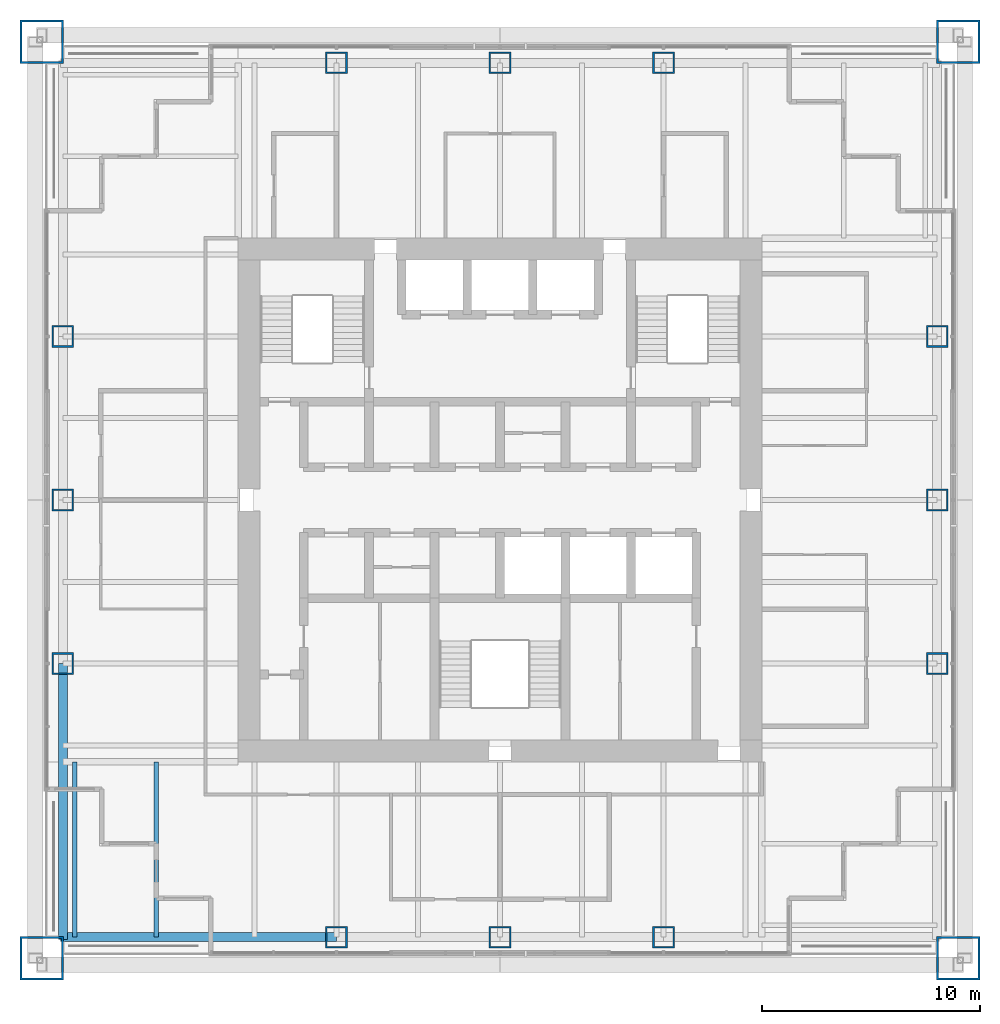
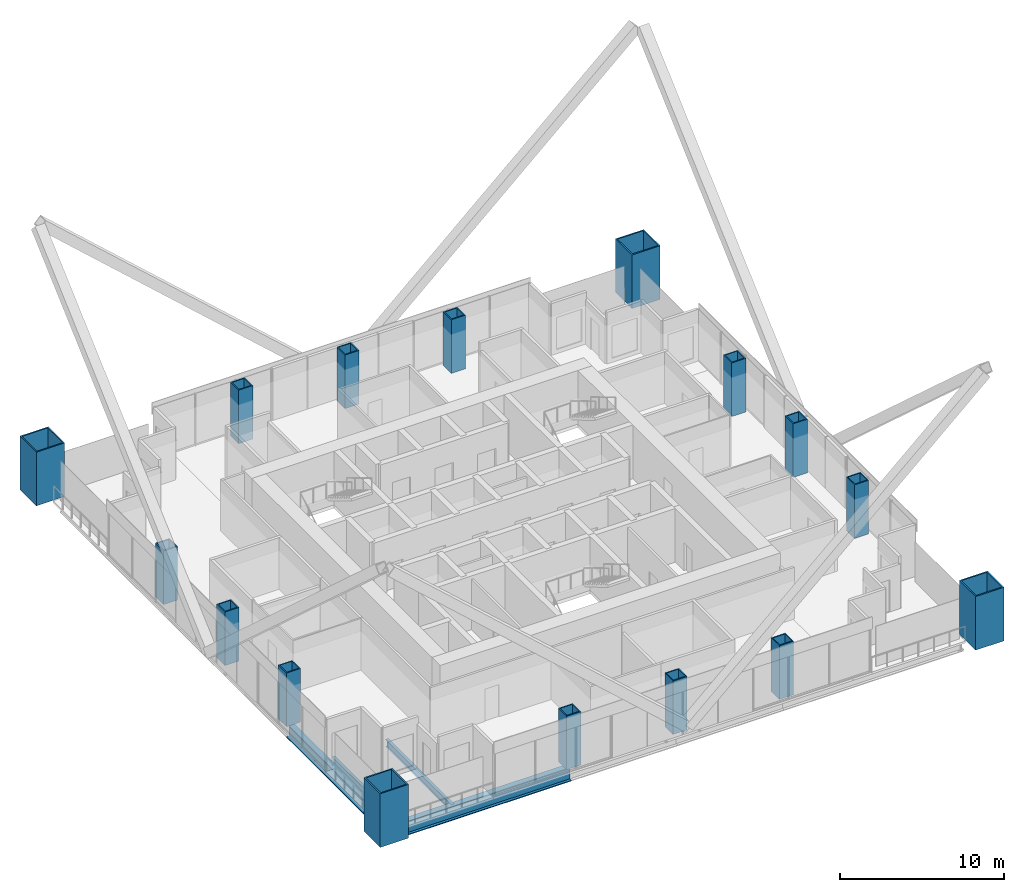
# One storey, part 1 of 17: 16 columns, 4 beams.
"""IFC4 building model written with IfcOpenShell, lengths in metres."""

import ifcopenshell
import ifcopenshell.guid

model = None  # the IFC model being written
_history = None  # IfcOwnerHistory: only IFC2X3 demands one
_inside = {}  # id of a spatial element -> (the spatial element, [elements in it])
_under = {}  # id of a project, library or spatial element -> (it, [spatial elements below it])
_declared = {}  # id of a project -> (the project, [libraries it declares])
_typed = {}  # id of a type object -> (the type object, [elements of that type])
_made_of = {}  # id of a material, layer set ... -> (it, [elements and type objects made of it])


def new_model(schema):
    """Start an empty IFC model of exactly this schema.

    Asked for "IFC4X3", IfcOpenShell would pick the latest addendum, in which some entities
    have other attributes; the version numbers below select the first issue.
    IFC2X3 requires an IfcOwnerHistory on every rooted entity: one is made here for all.
    """
    global model, _history
    if schema == "IFC4X3":
        model = ifcopenshell.file(schema_version=(4, 3, 0, 0))
    else:
        model = ifcopenshell.file(schema=schema)
    _inside.clear()
    _under.clear()
    _declared.clear()
    _typed.clear()
    _made_of.clear()
    _history = None
    if model.schema == "IFC2X3":
        org = make("IfcOrganization", Name="unknown")
        user = make(
            "IfcPersonAndOrganization",
            ThePerson=make("IfcPerson", FamilyName="unknown"),
            TheOrganization=org,
        )
        app = make(
            "IfcApplication",
            ApplicationDeveloper=org,
            Version="unknown",
            ApplicationFullName="unknown",
            ApplicationIdentifier="unknown",
        )
        _history = make(
            "IfcOwnerHistory",
            OwningUser=user,
            OwningApplication=app,
            ChangeAction="ADDED",
            CreationDate=0,
        )
    return model


def make(cls, **values):
    """One entity of the class cls with the attributes given. An attribute that is None is left unset."""
    return model.create_entity(
        cls, **{name: value for name, value in values.items() if value is not None}
    )


def rooted(cls, **values):
    """An entity with a GlobalId (a new one), such as an element, a storey or a relation."""
    return make(cls, GlobalId=ifcopenshell.guid.new(), OwnerHistory=_history, **values)


def si_unit(unit_type, name, prefix=None):
    """IfcSIUnit, for example si_unit("LENGTHUNIT", "METRE", prefix="MILLI")."""
    return make("IfcSIUnit", UnitType=unit_type, Prefix=prefix, Name=name)


def assignment(units):
    """IfcUnitAssignment: the units of a project."""
    return None if units is None else make("IfcUnitAssignment", Units=units)


def point(xyz):
    """IfcCartesianPoint."""
    return None if xyz is None else make("IfcCartesianPoint", Coordinates=xyz)


def direction(xyz):
    """IfcDirection."""
    return None if xyz is None else make("IfcDirection", DirectionRatios=xyz)


def frame(location, z_axis=None, x_axis=None):
    """IfcAxis2Placement3D, a coordinate frame: its origin and axes. An axis left out is left unset."""
    return make(
        "IfcAxis2Placement3D",
        Location=point(location),
        Axis=direction(z_axis),
        RefDirection=direction(x_axis),
    )


def frame_2d(location, x_axis=None):
    """IfcAxis2Placement2D, a coordinate frame in the plane: its origin and x axis."""
    return make(
        "IfcAxis2Placement2D", Location=point(location), RefDirection=direction(x_axis)
    )


def origin():
    """The frame at (0, 0, 0) with its axes left unset."""
    return frame((0.0, 0.0, 0.0))


def origin_2d():
    """The frame at (0, 0) in the plane with its x axis left unset."""
    return frame_2d((0.0, 0.0))


def place(relative_to, where):
    """IfcLocalPlacement: puts the frame where relative to a parent placement (None: the world)."""
    return make(
        "IfcLocalPlacement", PlacementRelTo=relative_to, RelativePlacement=where
    )


def context(
    kind, dimensions, precision=None, world=None, true_north=None, identifier=None
):
    """IfcGeometricRepresentationContext, for example the 3D "Model" context."""
    return make(
        "IfcGeometricRepresentationContext",
        ContextIdentifier=identifier,
        ContextType=kind,
        CoordinateSpaceDimension=dimensions,
        Precision=precision,
        WorldCoordinateSystem=world,
        TrueNorth=true_north,
    )


def subcontext(parent, identifier, kind, view, scale=None):
    """IfcGeometricRepresentationSubContext, for example "Body" below "Model"."""
    return make(
        "IfcGeometricRepresentationSubContext",
        ContextIdentifier=identifier,
        ContextType=kind,
        ParentContext=parent,
        TargetScale=scale,
        TargetView=view,
    )


def project(units=None, contexts=None):
    """IfcProject with its units and contexts."""
    return rooted(
        "IfcProject",
        Name="project",
        RepresentationContexts=contexts,
        UnitsInContext=assignment(units),
    )


def spatial(cls, under=None, at=None, **own):
    """A site, building, storey or space (cls), placed at a placement, below another one or the project."""
    s = rooted(cls, ObjectPlacement=at, **own)
    if under is not None:
        _under.setdefault(under.id(), (under, []))[1].append(s)
    return s


def profile(cls, at=None, kind="AREA", **sizes):
    """A parametric profile (cls). Its sizes go by their IFC names, for example OverallWidth=200.0."""
    return make(cls, ProfileType=kind, Position=at, **sizes)


def hollow_rectangle(**sizes):
    """IfcRectangleHollowProfileDef."""
    return profile("IfcRectangleHollowProfileDef", **sizes)


def i_section(**sizes):
    """IfcIShapeProfileDef."""
    return profile("IfcIShapeProfileDef", **sizes)


def extrude(swept, where, along, depth):
    """IfcExtrudedAreaSolid: the profile swept, set in the frame where, extruded along a direction by depth."""
    return make(
        "IfcExtrudedAreaSolid",
        SweptArea=swept,
        Position=where,
        ExtrudedDirection=direction(along),
        Depth=depth,
    )


def shape(context_of_items, identifier, shape_type, items):
    """IfcShapeRepresentation: the items that make up one representation, for example the "Body"."""
    return make(
        "IfcShapeRepresentation",
        ContextOfItems=context_of_items,
        RepresentationIdentifier=identifier,
        RepresentationType=shape_type,
        Items=items,
    )


def material(Name=None, Category=None):
    """IfcMaterial."""
    return make("IfcMaterial", Name=Name, Category=Category)


def material_profile(
    of_material, cross_section, Name=None, Category=None, Priority=None
):
    """IfcMaterialProfile: a cross section and its material."""
    return make(
        "IfcMaterialProfile",
        Name=Name,
        Material=of_material,
        Profile=cross_section,
        Priority=Priority,
        Category=Category,
    )


def profile_set(profiles, Name=None, composite=None):
    """IfcMaterialProfileSet."""
    return make(
        "IfcMaterialProfileSet",
        Name=Name,
        MaterialProfiles=profiles,
        CompositeProfile=composite,
    )


def made_of(thing, what):
    """Note that an element or type object is made of a material, layer set ...; save() writes the relation."""
    if what is not None:
        _made_of.setdefault(what.id(), (what, []))[1].append(thing)
    return thing


def type_object(cls, material=None, **own):
    """A type object (cls), such as IfcWallType, which elements share."""
    return made_of(rooted(cls, **own), material)


def element(
    cls,
    number,
    at=None,
    inside=None,
    cuts=None,
    type_object=None,
    material=None,
    context=None,
    identifier="Body",
    shape_type=None,
    held_by="IfcProductDefinitionShape",
    body=None,
    shapes=None,
    **own,
):
    """One element of the class cls, such as IfcWall. Its Tag is "e" and its number.

    at: its placement. inside: the storey or other place that contains it. cuts: it is an
    opening in that element (IfcRelVoidsElement). A single representation is given by context,
    identifier, shape_type and body (its items); several are given by shapes. held_by: the class
    of the entity that holds the representations. save() writes the other relations.
    """
    e = rooted(cls, Tag="e%d" % number, ObjectPlacement=at, **own)
    if body is not None:
        shapes = [shape(context, identifier, shape_type, body)]
    if shapes is not None:
        e.Representation = make(held_by, Representations=shapes)
    if inside is not None:
        _inside.setdefault(inside.id(), (inside, []))[1].append(e)
    if cuts is not None:
        rooted(
            "IfcRelVoidsElement", RelatingBuildingElement=cuts, RelatedOpeningElement=e
        )
    if type_object is not None:
        _typed.setdefault(type_object.id(), (type_object, []))[1].append(e)
    return made_of(e, material)


def aggregate(whole, parts):
    """IfcRelAggregates: a whole, such as a stair, and the parts it consists of."""
    return rooted("IfcRelAggregates", RelatingObject=whole, RelatedObjects=parts)


def save(model, path):
    """Write the relations noted so far, then the file.

    IfcRelAggregates (storeys below a building ...), IfcRelContainedInSpatialStructure (elements
    in a storey), IfcRelDefinesByType, IfcRelAssociatesMaterial and IfcRelDeclares: one each for
    every whole, place, type object, material and project.
    """
    for whole, parts in _under.values():
        aggregate(whole, parts)
    for where, things in _inside.values():
        rooted(
            "IfcRelContainedInSpatialStructure",
            RelatedElements=things,
            RelatingStructure=where,
        )
    for kind, things in _typed.values():
        rooted("IfcRelDefinesByType", RelatedObjects=things, RelatingType=kind)
    for what, things in _made_of.values():
        rooted("IfcRelAssociatesMaterial", RelatedObjects=things, RelatingMaterial=what)
    for by, libraries in _declared.values():
        rooted("IfcRelDeclares", RelatingContext=by, RelatedDefinitions=libraries)
    model.write(path)


model = new_model("IFC4")

# Units and contexts
model_context = context("Model", 3, precision=1e-05, world=origin(), true_north=direction((0.0, 1.0)))
body_context = subcontext(model_context, "Body", "Model", "MODEL_VIEW")
ifc_project = project(units=[si_unit("LENGTHUNIT", "METRE"), si_unit("AREAUNIT", "SQUARE_METRE"), si_unit("VOLUMEUNIT", "CUBIC_METRE"), si_unit("PLANEANGLEUNIT", "RADIAN"), si_unit("MASSUNIT", "GRAM", prefix="KILO")], contexts=[model_context])

# Site, building, storey
site_placement = place(None, origin())
site = spatial("IfcSite", under=ifc_project, at=site_placement, CompositionType="ELEMENT")
building_placement = place(site_placement, origin())
building = spatial("IfcBuilding", under=site, at=building_placement, Name="Tarangal Relay Tower", CompositionType="ELEMENT")
storey_placement = place(building_placement, frame((0.0, 0.0, 315.89990234375)))
storey = spatial("IfcBuildingStorey", under=building, at=storey_placement, Name="L70", CompositionType="ELEMENT", Elevation=315.89990234375)

# Columns
ifc_material_1 = material(Name="Steel ASTM A572 Grade 50", Category="steel")
ifc_material_profile_1 = material_profile(ifc_material_1, hollow_rectangle(XDim=2.0, YDim=2.0, WallThickness=0.094970703125, at=origin_2d()), Name="BOX2000X2000X95")
ifc_profile_set_1 = profile_set([ifc_material_profile_1], Name="Steel ASTM A572 Grade 50")
column_type_1 = type_object("IfcColumnType", Name="Mega column BOX2000X2000X95", PredefinedType="COLUMN", material=ifc_profile_set_1)
for number, where, z_axis, x_axis, name in (
    (1, (21.0, 21.0, 0.0), (0.0, 0.0, 1.0), (1.0, 0.0, 0.0), "Mega column MC4 NE L70"),
    (2, (21.0, -21.0, 0.0), (0.0, 0.0, 1.0), (1.0, 0.0, 0.0), "Mega column MC4 SE L70"),
    (3, (-21.0, -21.0, 0.0), (0.0, 0.0, 1.0), (1.0, 0.0, 0.0), "Mega column MC4 SW L70"),
    (4, (-21.0, 21.0, 0.0), (0.0, 0.0, 1.0), (1.0, 0.0, 0.0), "Mega column MC4 NW L70"),
):
    element("IfcColumn", number, at=place(storey_placement, frame(where, z_axis=z_axis, x_axis=x_axis)), inside=storey, type_object=column_type_1, Name=name, PredefinedType="COLUMN", context=body_context, shape_type="SweptSolid", body=[
        extrude(hollow_rectangle(XDim=2.0, YDim=2.0, WallThickness=0.094970703125, at=origin_2d()), origin(), (0.0, 0.0, 1.0), 4.0),
    ])
ifc_material_profile_2 = material_profile(ifc_material_1, hollow_rectangle(XDim=1.0, YDim=1.0, WallThickness=0.074951171875, at=origin_2d()), Name="BOX1000X1000X75")
ifc_profile_set_2 = profile_set([ifc_material_profile_2], Name="Steel ASTM A572 Grade 50")
column_type_2 = type_object("IfcColumnType", Name="Perimeter column BOX1000X1000X75", PredefinedType="COLUMN", material=ifc_profile_set_2)
for number, where, z_axis, x_axis, name in (
    (5, (-7.5, 20.0400390625, 0.0), (0.0, 0.0, 1.0), (1.0, 0.0, 0.0), "Perimeter column PC5 N L70"),
    (6, (0.0, 20.0400390625, 0.0), (0.0, 0.0, 1.0), (1.0, 0.0, 0.0), "Perimeter column PC5 N L70"),
    (7, (7.5, 20.0400390625, 0.0), (0.0, 0.0, 1.0), (1.0, 0.0, 0.0), "Perimeter column PC5 N L70"),
    (8, (20.0400390625, 7.5, 0.0), (0.0, 0.0, 1.0), (1.0, 0.0, 0.0), "Perimeter column PC5 E L70"),
    (9, (20.0400390625, 0.0, 0.0), (0.0, 0.0, 1.0), (1.0, 0.0, 0.0), "Perimeter column PC5 E L70"),
    (10, (20.0400390625, -7.5, 0.0), (0.0, 0.0, 1.0), (1.0, 0.0, 0.0), "Perimeter column PC5 E L70"),
    (11, (7.5, -20.0400390625, 0.0), (0.0, 0.0, 1.0), (1.0, 0.0, 0.0), "Perimeter column PC5 S L70"),
    (12, (0.0, -20.0400390625, 0.0), (0.0, 0.0, 1.0), (1.0, 0.0, 0.0), "Perimeter column PC5 S L70"),
    (13, (-7.5, -20.0400390625, 0.0), (0.0, 0.0, 1.0), (1.0, 0.0, 0.0), "Perimeter column PC5 S L70"),
    (14, (-20.0400390625, -7.5, 0.0), (0.0, 0.0, 1.0), (1.0, 0.0, 0.0), "Perimeter column PC5 W L70"),
    (15, (-20.0400390625, 0.0, 0.0), (0.0, 0.0, 1.0), (1.0, 0.0, 0.0), "Perimeter column PC5 W L70"),
    (16, (-20.0400390625, 7.5, 0.0), (0.0, 0.0, 1.0), (1.0, 0.0, 0.0), "Perimeter column PC5 W L70"),
):
    element("IfcColumn", number, at=place(storey_placement, frame(where, z_axis=z_axis, x_axis=x_axis)), inside=storey, type_object=column_type_2, Name=name, PredefinedType="COLUMN", context=body_context, shape_type="SweptSolid", body=[
        extrude(hollow_rectangle(XDim=1.0, YDim=1.0, WallThickness=0.074951171875, at=origin_2d()), origin(), (0.0, 0.0, 1.0), 4.0),
    ])

# Beams
ifc_material_2 = material(Name="Steel ASTM A992", Category="steel")
ifc_material_profile_3 = material_profile(ifc_material_2, i_section(OverallWidth=0.209228515625, OverallDepth=0.533447265625, WebThickness=0.01025390625, FlangeThickness=0.015625, at=origin_2d()), Name="W21X62")
ifc_profile_set_3 = profile_set([ifc_material_profile_3], Name="Steel ASTM A992")
beam_type_1 = type_object("IfcBeamType", Name="Corner beam W21X62", PredefinedType="JOIST", material=ifc_profile_set_3)
for number, where, z_axis, x_axis, name in (
    (17, (-15.75, -12.0, -0.41650390625), (0.0, -1.0, 0.0), (1.0, 0.0, 0.0), "Corner beam CB12 S L70"),
    (18, (-19.5, -12.0, -0.41650390625), (0.0, -1.0, 0.0), (1.0, 0.0, 0.0), "Corner beam CB12 S L70"),
):
    element("IfcBeam", number, at=place(storey_placement, frame(where, z_axis=z_axis, x_axis=x_axis)), inside=storey, type_object=beam_type_1, Name=name, PredefinedType="JOIST", context=body_context, shape_type="SweptSolid", body=[
        extrude(i_section(OverallWidth=0.209228515625, OverallDepth=0.533447265625, WebThickness=0.01025390625, FlangeThickness=0.015625, at=origin_2d()), origin(), (0.0, 0.0, 1.0), 8.0400390625),
    ])
ifc_material_profile_4 = material_profile(ifc_material_2, i_section(OverallWidth=0.41162109375, OverallDepth=1.049072265625, WebThickness=0.033935546875, FlangeThickness=0.059814453125, at=origin_2d()), Name="W40X431")
ifc_profile_set_4 = profile_set([ifc_material_profile_4], Name="Steel ASTM A992")
beam_type_2 = type_object("IfcBeamType", Name="Edge girder W40X431", PredefinedType="SPANDREL", material=ifc_profile_set_4)
for number, where, z_axis, x_axis, name in (
    (19, (-7.5, -20.0400390625, -0.67431640625), (-1.0, 0.0, 0.0), (0.0, -1.0, 0.0), "Edge girder EG1 S L70"),
    (20, (-20.0400390625, -20.14990234375, -0.67431640625), (0.0, 1.0, 0.0), (-1.0, 0.0, 0.0), "Edge girder EG1 W L70"),
):
    element("IfcBeam", number, at=place(storey_placement, frame(where, z_axis=z_axis, x_axis=x_axis)), inside=storey, type_object=beam_type_2, Name=name, PredefinedType="SPANDREL", context=body_context, shape_type="SweptSolid", body=[
        extrude(i_section(OverallWidth=0.41162109375, OverallDepth=1.049072265625, WebThickness=0.033935546875, FlangeThickness=0.059814453125, at=origin_2d()), origin(), (0.0, 0.0, 1.0), 12.64990234375),
    ])

save(model, "model.ifc")
